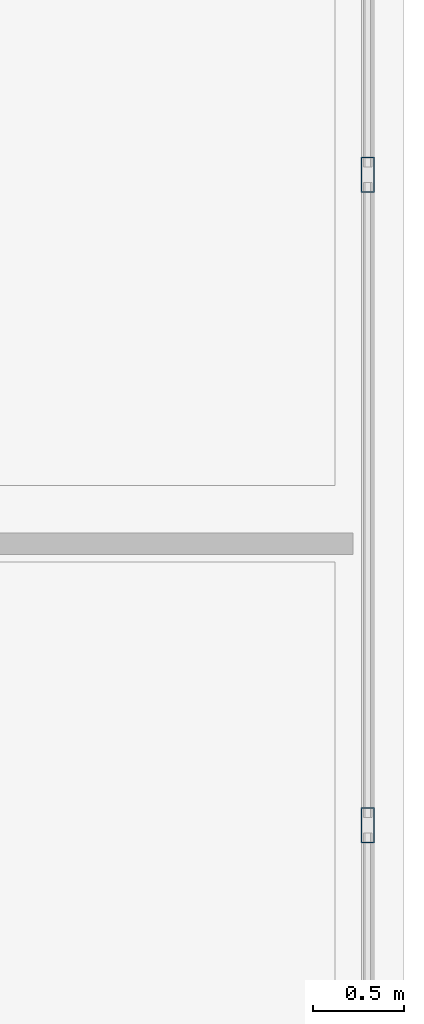
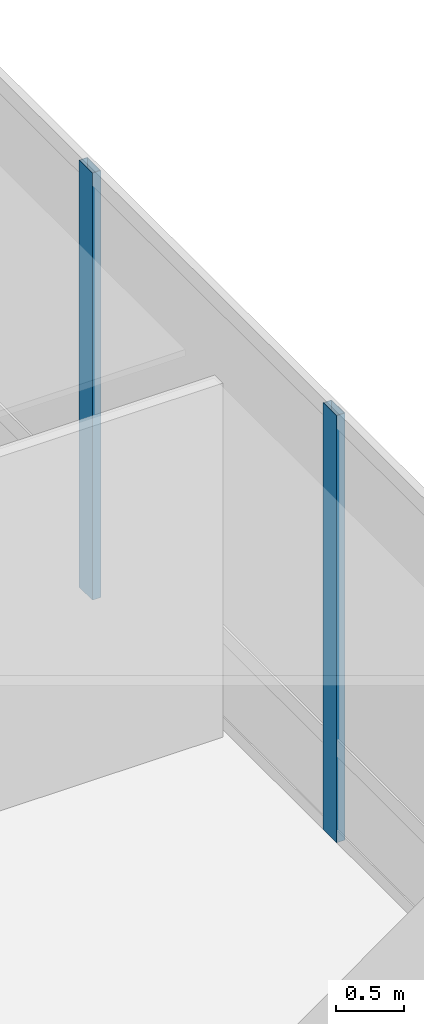
# One storey, part 16 of 36: 2 members, 1 element without a shape of its own.
"""IFC4 building model written with IfcOpenShell, lengths in metres."""

from ifc_helpers import new_model, si_unit, direction, frame, origin, origin_2d, place, context, subcontext, project, spatial, hollow_rectangle, extrude, material, material_profile, profile_set, type_object, element, aggregate, save


model = new_model("IFC4")

# Units and contexts
model_context = context("Model", 3, precision=1e-05, world=origin(), true_north=direction((0.0, 1.0)))
body_context = subcontext(model_context, "Body", "Model", "MODEL_VIEW")
ifc_project = project(units=[si_unit("LENGTHUNIT", "METRE"), si_unit("AREAUNIT", "SQUARE_METRE"), si_unit("VOLUMEUNIT", "CUBIC_METRE"), si_unit("PLANEANGLEUNIT", "RADIAN"), si_unit("MASSUNIT", "GRAM", prefix="KILO")], contexts=[model_context])

# Site, building, storey
site_placement = place(None, origin())
site = spatial("IfcSite", under=ifc_project, at=site_placement, CompositionType="ELEMENT")
building_placement = place(site_placement, origin())
building = spatial("IfcBuilding", under=site, at=building_placement, Name="Punatoya Terracotta Tower", CompositionType="ELEMENT")
storey_placement = place(building_placement, frame((0.0, 0.0, 228.89990234375)))
storey = spatial("IfcBuildingStorey", under=building, at=storey_placement, Name="L54", CompositionType="ELEMENT", Elevation=228.89990234375)

# Curtain wall, members
ifc_material_1 = material(Name="Aluminium 6063-T6 + Double Low-E Glass", Category="aluminium")
curtain_wall_type = type_object("IfcCurtainWallType", Name="CW-M2", PredefinedType="NOTDEFINED", material=ifc_material_1)
curtain_wall_placement = place(storey_placement, origin())
curtain_wall = element("IfcCurtainWall", 1, at=curtain_wall_placement, inside=storey, type_object=curtain_wall_type, Name="L54 Curtain Wall CW-L54-E04-1", PredefinedType="NOTDEFINED")
ifc_material_2 = material(Name="Aluminium 6063-T6", Category="aluminium")
ifc_material_profile = material_profile(ifc_material_2, hollow_rectangle(XDim=0.072021484375, YDim=0.195068359375, WallThickness=0.00439453125, at=origin_2d()))
ifc_profile_set = profile_set([ifc_material_profile], Name="Aluminium 6063-T6")
member_type = type_object("IfcMemberType", Name="CW-MUL-M2", PredefinedType="MULLION", material=ifc_profile_set)
member_1_placement = place(storey_placement, frame((24.85009765625, -13.2626953125, 0.0), z_axis=(0.0, 0.0, 1.0), x_axis=(1.0, 0.0, 0.0)))
member_1 = element("IfcMember", 2, at=member_1_placement, type_object=member_type, Name="CW-L54-E04-1 Mullion 01", PredefinedType="MULLION", context=body_context, shape_type="SweptSolid", body=[
    extrude(hollow_rectangle(XDim=0.072021484375, YDim=0.195068359375, WallThickness=0.00439453125, at=origin_2d()), origin(), (0.0, 0.0, 1.0), 3.830078125),
])
member_2_placement = place(storey_placement, frame((24.85009765625, -9.675048828125, 0.0), z_axis=(0.0, 0.0, 1.0), x_axis=(1.0, 0.0, 0.0)))
member_2 = element("IfcMember", 3, at=member_2_placement, type_object=member_type, Name="CW-L54-E04-1 Mullion 02", PredefinedType="MULLION", context=body_context, shape_type="SweptSolid", body=[
    extrude(hollow_rectangle(XDim=0.072021484375, YDim=0.195068359375, WallThickness=0.00439453125, at=origin_2d()), origin(), (0.0, 0.0, 1.0), 3.830078125),
])
aggregate(curtain_wall, [member_1, member_2])

save(model, "model.ifc")
